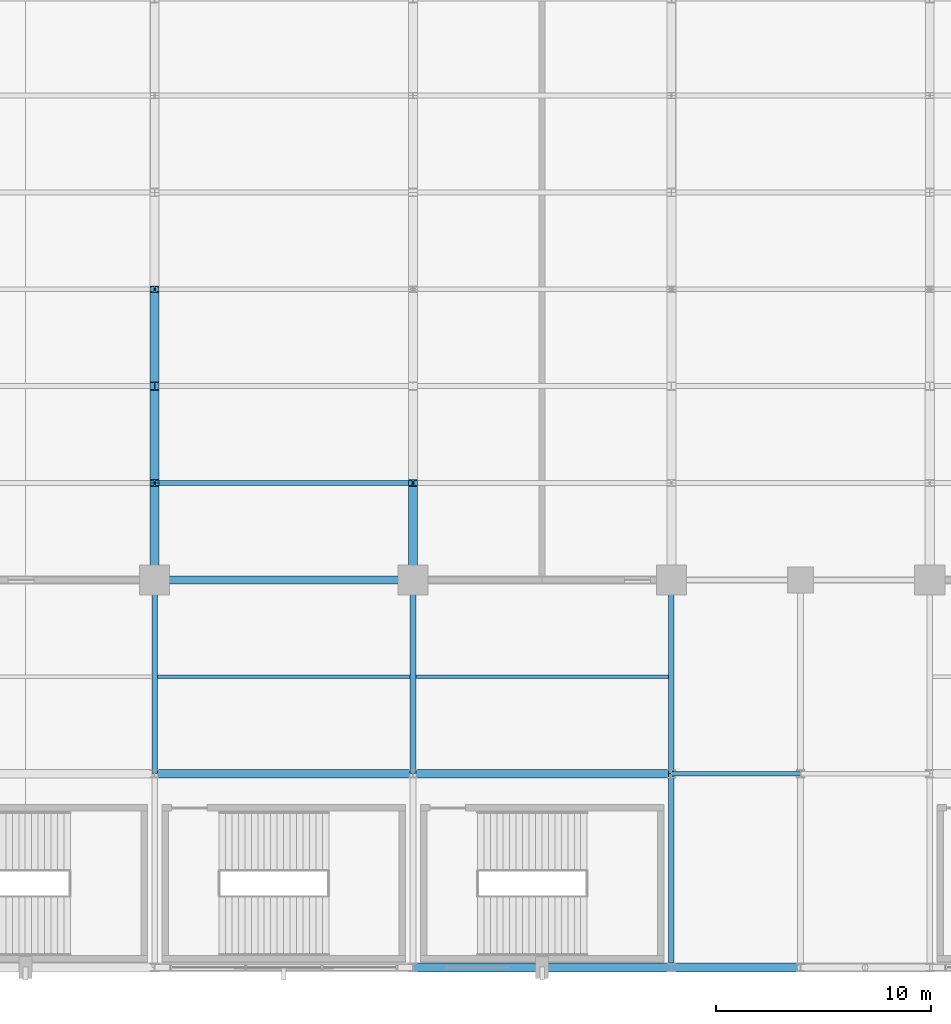
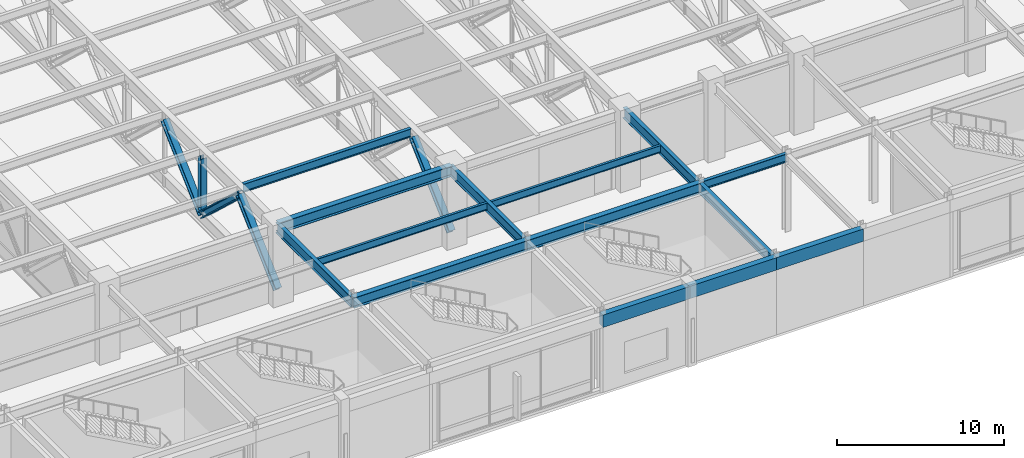
# One storey, part 30 of 108: 14 beams, 5 members.
"""IFC4 building model written with IfcOpenShell, lengths in metres."""

from ifc_helpers import new_model, si_unit, direction, frame, origin, origin_2d, place, context, subcontext, project, spatial, rectangle, i_section, extrude, material, material_profile, profile_set, type_object, element, save


model = new_model("IFC4")

# Units and contexts
model_context = context("Model", 3, precision=1e-05, world=origin(), true_north=direction((0.0, 1.0)))
body_context = subcontext(model_context, "Body", "Model", "MODEL_VIEW")
ifc_project = project(units=[si_unit("LENGTHUNIT", "METRE"), si_unit("AREAUNIT", "SQUARE_METRE"), si_unit("VOLUMEUNIT", "CUBIC_METRE"), si_unit("PLANEANGLEUNIT", "RADIAN"), si_unit("MASSUNIT", "GRAM", prefix="KILO")], contexts=[model_context])

# Site, building, storey
site_placement = place(None, origin())
site = spatial("IfcSite", under=ifc_project, at=site_placement, CompositionType="ELEMENT")
building_placement = place(site_placement, origin())
building = spatial("IfcBuilding", under=site, at=building_placement, Name="Kaldorvane Square Convention Centre", CompositionType="ELEMENT")
storey_placement = place(building_placement, frame((0.0, 0.0, 12.0)))
storey = spatial("IfcBuildingStorey", under=building, at=storey_placement, Name="L02", CompositionType="ELEMENT", Elevation=12.0)

# Beams
ifc_material_1 = material(Name="Steel ASTM A992 Gr. 50", Category="steel")
ifc_material_profile_1 = material_profile(ifc_material_1, i_section(OverallWidth=0.2303009033203125, OverallDepth=0.61749267578125, WebThickness=0.0131072998046875, FlangeThickness=0.0222015380859375, FilletRadius=0.0126953125, at=origin_2d()), Name="W24X94")
ifc_profile_set_1 = profile_set([ifc_material_profile_1], Name="Steel ASTM A992 Gr. 50")
beam_type_1 = type_object("IfcBeamType", Name="BM-GR-W24X94", PredefinedType="BEAM", material=ifc_profile_set_1)
beam_1_placement = place(storey_placement, frame((90.0, 9.0, 5.3372039794921875), z_axis=(1.0, 0.0, 0.0), x_axis=(0.0, 1.0, 0.0)))
element("IfcBeam", 1, at=beam_1_placement, inside=storey, type_object=beam_type_1, Name="Primary Girder (L02)", PredefinedType="BEAM", context=body_context, shape_type="SweptSolid", body=[
    extrude(i_section(OverallWidth=0.2303009033203125, OverallDepth=0.61749267578125, WebThickness=0.0131072998046875, FlangeThickness=0.0222015380859375, FilletRadius=0.0126953125, at=origin_2d()), origin(), (0.0, 0.0, 1.0), 6.0),
])
ifc_material_profile_2 = material_profile(ifc_material_1, i_section(OverallWidth=0.2666015625, OverallDepth=0.762298583984375, WebThickness=0.014404296875, FlangeThickness=0.0216064453125, FilletRadius=0.0164947509765625, at=origin_2d()), Name="W30X116")
ifc_profile_set_2 = profile_set([ifc_material_profile_2], Name="Steel ASTM A992 Gr. 50")
beam_type_2 = type_object("IfcBeamType", Name="BM-GR-W30X116", PredefinedType="BEAM", material=ifc_profile_set_2)
for number, where, z_axis, x_axis, name in (
    (2, (66.0, 9.0, 5.264801025390625), (0.0, 1.0, 0.0), (-1.0, 0.0, 0.0), "Transverse Girder (L02)"),
    (3, (78.0, 9.0, 5.264801025390625), (0.0, 1.0, 0.0), (-1.0, 0.0, 0.0), "Transverse Girder (L02)"),
    (4, (90.0, 0.0, 5.264801025390625), (0.0, 1.0, 0.0), (-1.0, 0.0, 0.0), "Transverse Girder (L02)"),
    (5, (90.0, 9.0, 5.264801025390625), (0.0, 1.0, 0.0), (-1.0, 0.0, 0.0), "Transverse Girder (L02)"),
):
    element("IfcBeam", number, at=place(storey_placement, frame(where, z_axis=z_axis, x_axis=x_axis)), inside=storey, type_object=beam_type_2, Name=name, PredefinedType="BEAM", context=body_context, shape_type="SweptSolid", body=[
        extrude(i_section(OverallWidth=0.2666015625, OverallDepth=0.762298583984375, WebThickness=0.014404296875, FlangeThickness=0.0216064453125, FilletRadius=0.0164947509765625, at=origin_2d()), origin(), (0.0, 0.0, 1.0), 9.0),
    ])
ifc_material_profile_3 = material_profile(ifc_material_1, i_section(OverallWidth=0.380706787109375, OverallDepth=0.773193359375, WebThickness=0.0166015625, FlangeThickness=0.027099609375, FilletRadius=0.0164947509765625, at=origin_2d()), Name="W30X173")
ifc_profile_set_3 = profile_set([ifc_material_profile_3], Name="Steel ASTM A992 Gr. 50")
beam_type_3 = type_object("IfcBeamType", Name="BM-GR-W30X173", PredefinedType="BEAM", material=ifc_profile_set_3)
for number, where, z_axis, x_axis, name in (
    (6, (66.0, 9.0, 5.2593994140625), (1.0, 0.0, 0.0), (0.0, 1.0, 0.0), "Primary Girder (L02)"),
    (7, (78.0, 9.0, 5.2593994140625), (1.0, 0.0, 0.0), (0.0, 1.0, 0.0), "Primary Girder (L02)"),
    (8, (66.0, 18.0, 5.2593994140625), (1.0, 0.0, 0.0), (0.0, 1.0, 0.0), "Primary Girder (L02)"),
):
    element("IfcBeam", number, at=place(storey_placement, frame(where, z_axis=z_axis, x_axis=x_axis)), inside=storey, type_object=beam_type_3, Name=name, PredefinedType="BEAM", context=body_context, shape_type="SweptSolid", body=[
        extrude(i_section(OverallWidth=0.380706787109375, OverallDepth=0.773193359375, WebThickness=0.0166015625, FlangeThickness=0.027099609375, FilletRadius=0.0164947509765625, at=origin_2d()), origin(), (0.0, 0.0, 1.0), 12.0),
    ])
ifc_material_profile_4 = material_profile(ifc_material_1, i_section(OverallWidth=0.1658935546875, OverallDepth=0.5290985107421875, WebThickness=0.00970458984375, FlangeThickness=0.0135955810546875, FilletRadius=0.0126953125, at=origin_2d()), Name="W21X50")
ifc_profile_set_4 = profile_set([ifc_material_profile_4], Name="Steel ASTM A992 Gr. 50")
beam_type_4 = type_object("IfcBeamType", Name="BM-JS-W21X50", PredefinedType="JOIST", material=ifc_profile_set_4)
for number, where, z_axis, x_axis, name in (
    (9, (66.13330078125, 13.5, 5.3813934326171875), (1.0, 0.0, 0.0), (0.0, 1.0, 0.0), "Secondary Floor Joist (L02)"),
    (10, (78.13330078125, 13.5, 5.3813934326171875), (1.0, 0.0, 0.0), (0.0, 1.0, 0.0), "Secondary Floor Joist (L02)"),
):
    element("IfcBeam", number, at=place(storey_placement, frame(where, z_axis=z_axis, x_axis=x_axis)), inside=storey, type_object=beam_type_4, Name=name, PredefinedType="JOIST", context=body_context, shape_type="SweptSolid", body=[
        extrude(i_section(OverallWidth=0.1658935546875, OverallDepth=0.5290985107421875, WebThickness=0.00970458984375, FlangeThickness=0.0135955810546875, FilletRadius=0.0126953125, at=origin_2d()), origin(), (0.0, 0.0, 1.0), 11.7333984375),
    ])
ifc_material_profile_5 = material_profile(ifc_material_1, i_section(OverallWidth=0.2277069091796875, OverallDepth=0.6027069091796875, WebThickness=0.010498046875, FlangeThickness=0.014892578125, FilletRadius=0.0126953125, at=origin_2d()), Name="W24X68")
ifc_profile_set_5 = profile_set([ifc_material_profile_5], Name="Steel ASTM A992 Gr. 50")
beam_type_5 = type_object("IfcBeamType", Name="BM-JS-W24X68", PredefinedType="JOIST", material=ifc_profile_set_5)
beam_2_placement = place(storey_placement, frame((66.20249938964844, 22.5, 5.3446044921875), z_axis=(1.0, 0.0, 0.0), x_axis=(0.0, 1.0, 0.0)))
element("IfcBeam", 11, at=beam_2_placement, inside=storey, type_object=beam_type_5, Name="Hall Composite Floor Joist (L02)", PredefinedType="JOIST", context=body_context, shape_type="SweptSolid", body=[
    extrude(i_section(OverallWidth=0.2277069091796875, OverallDepth=0.6027069091796875, WebThickness=0.010498046875, FlangeThickness=0.014892578125, FilletRadius=0.0126953125, at=origin_2d()), origin(), (0.0, 0.0, 1.0), 11.595001220703125),
])
ifc_material_2 = material(Name="Concrete f'c = 42 MPa (Normalweight)", Category="concrete")
ifc_material_profile_6 = material_profile(ifc_material_2, rectangle(XDim=0.399993896484375, YDim=0.899993896484375, at=origin_2d()), Name="RCSP900X400")
ifc_profile_set_6 = profile_set([ifc_material_profile_6], Name="Concrete f'c = 42 MPa (Normalweight)")
beam_type_6 = type_object("IfcBeamType", Name="BM-SP-RC900", PredefinedType="SPANDREL", material=ifc_profile_set_6)
for number, where, z_axis, x_axis, name in (
    (12, (78.0, 0.0, 5.1959991455078125), (1.0, 0.0, 0.0), (0.0, 1.0, 0.0), "Perimeter Spandrel (L02)"),
    (13, (84.0, 0.0, 5.1959991455078125), (1.0, 0.0, 0.0), (0.0, 1.0, 0.0), "Perimeter Spandrel (L02)"),
    (14, (90.0, 0.0, 5.1959991455078125), (1.0, 0.0, 0.0), (0.0, 1.0, 0.0), "Perimeter Spandrel (L02)"),
):
    element("IfcBeam", number, at=place(storey_placement, frame(where, z_axis=z_axis, x_axis=x_axis)), inside=storey, type_object=beam_type_6, Name=name, PredefinedType="SPANDREL", context=body_context, shape_type="SweptSolid", body=[
        extrude(rectangle(XDim=0.399993896484375, YDim=0.899993896484375, at=origin_2d()), origin(), (0.0, 0.0, 1.0), 6.0),
    ])

# Members
ifc_material_profile_7 = material_profile(ifc_material_1, i_section(OverallWidth=0.412200927734375, OverallDepth=0.4347991943359375, WebThickness=0.035797119140625, FlangeThickness=0.057403564453125, FilletRadius=0.0305023193359375, at=origin_2d()), Name="W14X311")
ifc_profile_set_7 = profile_set([ifc_material_profile_7], Name="Steel ASTM A992 Gr. 50")
member_type_1 = type_object("IfcMemberType", Name="MB-BR-W14X311", PredefinedType="BRACE", material=ifc_profile_set_7)
member_1_placement = place(storey_placement, frame((66.0, 27.0, 0.7299957275390625), z_axis=(0.0, 0.731436442842, 0.681909620172), x_axis=(-1.0, 0.0, 0.0)))
element("IfcMember", 15, at=member_1_placement, inside=storey, type_object=member_type_1, Name="Transfer Truss TT-04 Web Diagonal 2A", PredefinedType="BRACE", context=body_context, shape_type="SweptSolid", body=[
    extrude(i_section(OverallWidth=0.412200927734375, OverallDepth=0.4347991943359375, WebThickness=0.035797119140625, FlangeThickness=0.057403564453125, FilletRadius=0.0305023193359375, at=origin_2d()), origin(), (0.0, 0.0, 1.0), 6.15228271484375),
])
ifc_material_profile_8 = material_profile(ifc_material_1, i_section(OverallWidth=0.4214019775390625, OverallDepth=0.4647979736328125, WebThickness=0.0449981689453125, FlangeThickness=0.072296142578125, FilletRadius=0.0305023193359375, at=origin_2d()), Name="W14X398")
ifc_profile_set_8 = profile_set([ifc_material_profile_8], Name="Steel ASTM A992 Gr. 50")
member_type_2 = type_object("IfcMemberType", Name="MB-BR-W14X398", PredefinedType="BRACE", material=ifc_profile_set_8)
for number, where, z_axis, x_axis, name in (
    (16, (66.0, 18.0, 0.7299957275390625), (0.0, 0.731436442842, 0.681909620172), (-1.0, 0.0, 0.0), "Transfer Truss TT-04 Web Diagonal 1A"),
    (17, (66.0, 22.5, 4.92529296875), (0.0, 0.731436442842, -0.681909620172), (-1.0, 0.0, 0.0), "Transfer Truss TT-04 Web Diagonal 1B"),
    (18, (78.0, 18.0, 0.7299957275390625), (0.0, 0.731436442842, 0.681909620172), (-1.0, 0.0, 0.0), "Transfer Truss TT-05 Web Diagonal 1A"),
):
    element("IfcMember", number, at=place(storey_placement, frame(where, z_axis=z_axis, x_axis=x_axis)), inside=storey, type_object=member_type_2, Name=name, PredefinedType="BRACE", context=body_context, shape_type="SweptSolid", body=[
        extrude(i_section(OverallWidth=0.4214019775390625, OverallDepth=0.4647979736328125, WebThickness=0.0449981689453125, FlangeThickness=0.072296142578125, FilletRadius=0.0305023193359375, at=origin_2d()), origin(), (0.0, 0.0, 1.0), 6.15228271484375),
    ])
ifc_material_profile_9 = material_profile(ifc_material_1, i_section(OverallWidth=0.3990020751953125, OverallDepth=0.3932037353515625, WebThickness=0.0225982666015625, FlangeThickness=0.0366058349609375, FilletRadius=0.0305023193359375, at=origin_2d()), Name="W14X193")
ifc_profile_set_9 = profile_set([ifc_material_profile_9], Name="Steel ASTM A992 Gr. 50")
member_type_3 = type_object("IfcMemberType", Name="MB-PS-W14X193", PredefinedType="POST", material=ifc_profile_set_9)
member_2_placement = place(storey_placement, frame((66.0, 27.0, 1.0099945068359375), z_axis=(0.0, 0.0, 1.0), x_axis=(1.0, 0.0, 0.0)))
element("IfcMember", 19, at=member_2_placement, inside=storey, type_object=member_type_3, Name="Transfer Truss TT-04 Vertical Post 1", PredefinedType="POST", context=body_context, shape_type="SweptSolid", body=[
    extrude(i_section(OverallWidth=0.3990020751953125, OverallDepth=0.3932037353515625, WebThickness=0.0225982666015625, FlangeThickness=0.0366058349609375, FilletRadius=0.0305023193359375, at=origin_2d()), origin(), (0.0, 0.0, 1.0), 3.9152984619140625),
])

save(model, "model.ifc")
